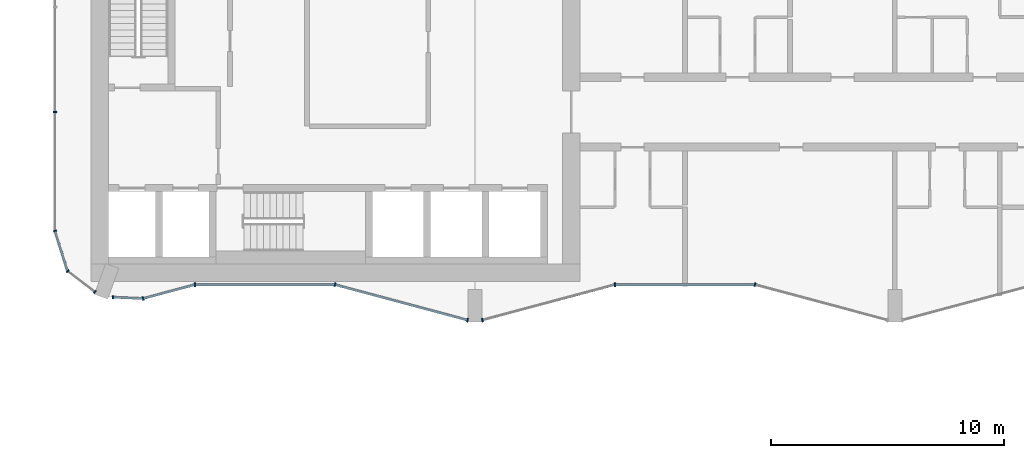
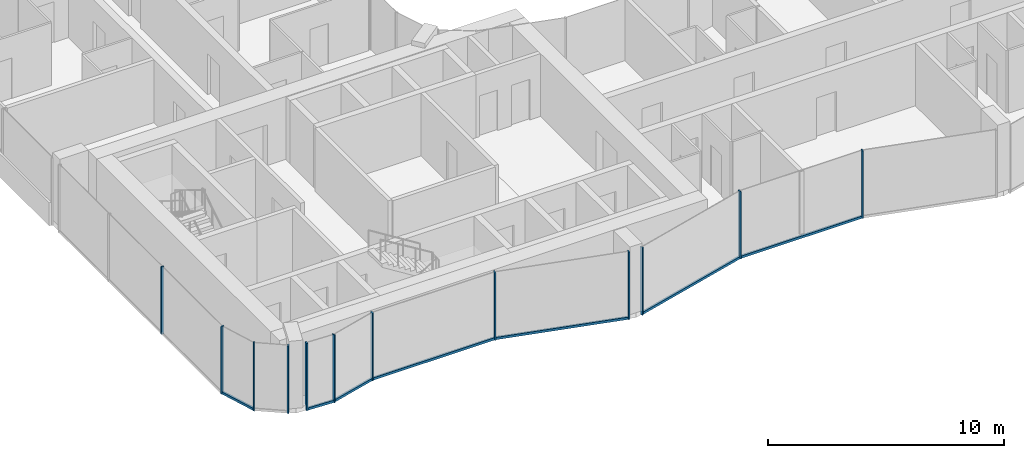
# One storey, part 2 of 22: 19 members, 10 elements without a shape of their own.
"""IFC4 building model written with IfcOpenShell, lengths in metres."""

from ifc_helpers import new_model, si_unit, direction, frame, origin, origin_2d, place, context, subcontext, project, spatial, rectangle, extrude, material, layer, layer_set, material_profile, profile_set, type_object, element, aggregate, save


model = new_model("IFC4")

# Units and contexts
model_context = context("Model", 3, precision=1e-05, world=origin(), true_north=direction((0.0, 1.0)))
body_context = subcontext(model_context, "Body", "Model", "MODEL_VIEW")
ifc_project = project(units=[si_unit("LENGTHUNIT", "METRE"), si_unit("AREAUNIT", "SQUARE_METRE"), si_unit("VOLUMEUNIT", "CUBIC_METRE"), si_unit("PLANEANGLEUNIT", "RADIAN"), si_unit("MASSUNIT", "GRAM", prefix="KILO")], contexts=[model_context])

# Site, building, storey
site_placement = place(None, origin())
site = spatial("IfcSite", under=ifc_project, at=site_placement, CompositionType="ELEMENT")
building_placement = place(site_placement, origin())
building = spatial("IfcBuilding", under=site, at=building_placement, Name="Plateau Cross Towers", CompositionType="ELEMENT")
storey_placement = place(building_placement, frame((0.0, 0.0, 54.800048828125)))
storey = spatial("IfcBuildingStorey", under=building, at=storey_placement, Name="L13", CompositionType="ELEMENT", Elevation=54.800048828125)

# Curtain wall, member
ifc_material_1 = material(Name="Dark low-iron glass", Category="glass")
ifc_layer_1 = layer(ifc_material_1, 0.239990234375)
ifc_layer_set_1 = layer_set([ifc_layer_1], Name="Dark low-iron glass")
curtain_wall_type_1 = type_object("IfcCurtainWallType", Name="Curtain wall flush unitised CW-B", PredefinedType="NOTDEFINED", material=ifc_layer_set_1)
curtain_wall_1_placement = place(storey_placement, origin())
curtain_wall_1 = element("IfcCurtainWall", 1, at=curtain_wall_1_placement, inside=storey, type_object=curtain_wall_type_1, Name="ENV/A/L13/A0_177", PredefinedType="NOTDEFINED")
ifc_material_2 = material(Name="Black anodised aluminium", Category="aluminium")
ifc_material_profile_1 = material_profile(ifc_material_2, rectangle(XDim=0.06005859375, YDim=0.139892578125, at=origin_2d()), Name="MULLION 60x140")
ifc_profile_set_1 = profile_set([ifc_material_profile_1], Name="Black anodised aluminium")
member_type_1 = type_object("IfcMemberType", Name="Mullion 60x140 flush unitised", PredefinedType="MULLION", material=ifc_profile_set_1)
member_1_placement = place(storey_placement, frame((0.0, 9.0, -0.25), z_axis=(0.0, 0.0, 1.0), x_axis=(0.0, -1.0, 0.0)))
member_1 = element("IfcMember", 2, at=member_1_placement, type_object=member_type_1, Name="CW-B mullion 3", PredefinedType="MULLION", context=body_context, shape_type="SweptSolid", body=[
    extrude(rectangle(XDim=0.06005859375, YDim=0.139892578125, at=origin_2d()), origin(), (0.0, 0.0, 1.0), 3.5),
])
aggregate(curtain_wall_1, [member_1])

curtain_wall_2_placement = place(storey_placement, origin())
curtain_wall_2 = element("IfcCurtainWall", 3, at=curtain_wall_2_placement, inside=storey, type_object=curtain_wall_type_1, Name="ENV/A/L13/A0_39", PredefinedType="NOTDEFINED")
member_2_placement = place(storey_placement, frame((0.0, 3.9091796875, -0.25), z_axis=(0.0, 0.0, 1.0), x_axis=(0.300686174994, -0.95372313811, 0.0)))
member_2 = element("IfcMember", 4, at=member_2_placement, type_object=member_type_1, Name="CW-B mullion 1", PredefinedType="MULLION", context=body_context, shape_type="SweptSolid", body=[
    extrude(rectangle(XDim=0.06005859375, YDim=0.139892578125, at=origin_2d()), origin(), (0.0, 0.0, 1.0), 3.5),
])

# Curtain wall, members
curtain_wall_3_placement = place(storey_placement, origin())
curtain_wall_3 = element("IfcCurtainWall", 5, at=curtain_wall_3_placement, inside=storey, type_object=curtain_wall_type_1, Name="ENV/A/L13/A5_22", PredefinedType="NOTDEFINED")
member_3_placement = place(storey_placement, frame((0.54248046875, 2.1884765625, -0.25), z_axis=(0.0, 0.0, 1.0), x_axis=(0.793315514529, -0.608810721331, 0.0)))
member_3 = element("IfcMember", 6, at=member_3_placement, type_object=member_type_1, Name="CW-B mullion 1", PredefinedType="MULLION", context=body_context, shape_type="SweptSolid", body=[
    extrude(rectangle(XDim=0.06005859375, YDim=0.139892578125, at=origin_2d()), origin(), (0.0, 0.0, 1.0), 3.5),
])
member_4_placement = place(storey_placement, frame((1.709716796875, 1.292724609375, -0.25), z_axis=(0.0, 0.0, 1.0), x_axis=(0.793315514529, -0.608810721331, 0.0)))
member_4 = element("IfcMember", 7, at=member_4_placement, type_object=member_type_1, Name="CW-B mullion 2", PredefinedType="MULLION", context=body_context, shape_type="SweptSolid", body=[
    extrude(rectangle(XDim=0.06005859375, YDim=0.139892578125, at=origin_2d()), origin(), (0.0, 0.0, 1.0), 3.5),
])
aggregate(curtain_wall_3, [member_3, member_4])

# Curtain wall, member
curtain_wall_4_placement = place(storey_placement, origin())
curtain_wall_4 = element("IfcCurtainWall", 8, at=curtain_wall_4_placement, inside=storey, type_object=curtain_wall_type_1, Name="ENV/A/L13/A25_11", PredefinedType="NOTDEFINED")
member_5_placement = place(storey_placement, frame((2.483642578125, 1.06787109375, -0.25), z_axis=(0.0, 0.0, 1.0), x_axis=(0.999043701491, -0.043722791671, 0.0)))
member_5 = element("IfcMember", 9, at=member_5_placement, type_object=member_type_1, Name="CW-B mullion 1", PredefinedType="MULLION", context=body_context, shape_type="SweptSolid", body=[
    extrude(rectangle(XDim=0.06005859375, YDim=0.139892578125, at=origin_2d()), origin(), (0.0, 0.0, 1.0), 3.5),
])

ifc_layer_2 = layer(ifc_material_1, 0.260009765625)
ifc_layer_set_2 = layer_set([ifc_layer_2], Name="Dark low-iron glass")
curtain_wall_type_2 = type_object("IfcCurtainWallType", Name="Curtain wall fluted unitised CW-A", PredefinedType="NOTDEFINED", material=ifc_layer_set_2)
curtain_wall_5_placement = place(storey_placement, origin())
curtain_wall_5 = element("IfcCurtainWall", 10, at=curtain_wall_5_placement, inside=storey, type_object=curtain_wall_type_2, Name="ENV/A/L13/A38_10", PredefinedType="NOTDEFINED")
ifc_material_profile_2 = material_profile(ifc_material_2, rectangle(XDim=0.06005859375, YDim=0.159912109375, at=origin_2d()), Name="MULLION 60x160")
ifc_profile_set_2 = profile_set([ifc_material_profile_2], Name="Black anodised aluminium")
member_type_2 = type_object("IfcMemberType", Name="Mullion 60x160 fluted unitised", PredefinedType="MULLION", material=ifc_profile_set_2)
member_6_placement = place(storey_placement, frame((3.776123046875, 1.01123046875, -0.25), z_axis=(0.0, 0.0, 1.0), x_axis=(0.965957962328, 0.258699081978, 0.0)))
member_6 = element("IfcMember", 11, at=member_6_placement, type_object=member_type_2, Name="CW-A mullion 1", PredefinedType="MULLION", context=body_context, shape_type="SweptSolid", body=[
    extrude(rectangle(XDim=0.06005859375, YDim=0.159912109375, at=origin_2d()), origin(), (0.0, 0.0, 1.0), 3.5),
])

curtain_wall_6_placement = place(storey_placement, origin())
curtain_wall_6 = element("IfcCurtainWall", 12, at=curtain_wall_6_placement, inside=storey, type_object=curtain_wall_type_2, Name="ENV/A/L13/A60_16", PredefinedType="NOTDEFINED")
member_7_placement = place(storey_placement, frame((6.0, 1.60693359375, -0.25), z_axis=(0.0, 0.0, 1.0), x_axis=(1.0, 0.0, 0.0)))
member_7 = element("IfcMember", 13, at=member_7_placement, type_object=member_type_2, Name="CW-A mullion 1", PredefinedType="MULLION", context=body_context, shape_type="SweptSolid", body=[
    extrude(rectangle(XDim=0.06005859375, YDim=0.159912109375, at=origin_2d()), origin(), (0.0, 0.0, 1.0), 3.5),
])

# Curtain wall, members
curtain_wall_7_placement = place(storey_placement, origin())
curtain_wall_7 = element("IfcCurtainWall", 14, at=curtain_wall_7_placement, inside=storey, type_object=curtain_wall_type_2, Name="ENV/A/L13/A120_16", PredefinedType="NOTDEFINED")
member_8_placement = place(storey_placement, frame((12.0, 1.60693359375, -0.25), z_axis=(0.0, 0.0, 1.0), x_axis=(0.965957983404, -0.258699003279, 0.0)))
member_8 = element("IfcMember", 15, at=member_8_placement, type_object=member_type_2, Name="CW-A mullion 1", PredefinedType="MULLION", context=body_context, shape_type="SweptSolid", body=[
    extrude(rectangle(XDim=0.06005859375, YDim=0.159912109375, at=origin_2d()), origin(), (0.0, 0.0, 1.0), 3.5),
])
member_9_placement = place(storey_placement, frame((17.68212890625, 0.085205078125, -0.25), z_axis=(0.0, 0.0, 1.0), x_axis=(0.965957983404, -0.258699003279, 0.0)))
member_9 = element("IfcMember", 16, at=member_9_placement, type_object=member_type_2, Name="CW-A mullion 2", PredefinedType="MULLION", context=body_context, shape_type="SweptSolid", body=[
    extrude(rectangle(XDim=0.06005859375, YDim=0.159912109375, at=origin_2d()), origin(), (0.0, 0.0, 1.0), 3.5),
])

# Curtain wall, member
curtain_wall_8_placement = place(storey_placement, origin())
curtain_wall_8 = element("IfcCurtainWall", 17, at=curtain_wall_8_placement, inside=storey, type_object=curtain_wall_type_2, Name="ENV/A/L13/A183_1", PredefinedType="NOTDEFINED")
member_10_placement = place(storey_placement, frame((18.31787109375, 0.085205078125, -0.25), z_axis=(0.0, 0.0, 1.0), x_axis=(0.965957983404, 0.258699003279, 0.0)))
member_10 = element("IfcMember", 18, at=member_10_placement, type_object=member_type_2, Name="CW-A mullion 1", PredefinedType="MULLION", context=body_context, shape_type="SweptSolid", body=[
    extrude(rectangle(XDim=0.06005859375, YDim=0.159912109375, at=origin_2d()), origin(), (0.0, 0.0, 1.0), 3.5),
])

curtain_wall_9_placement = place(storey_placement, origin())
curtain_wall_9 = element("IfcCurtainWall", 19, at=curtain_wall_9_placement, inside=storey, type_object=curtain_wall_type_2, Name="ENV/A/L13/A240_16", PredefinedType="NOTDEFINED")
member_11_placement = place(storey_placement, frame((24.0, 1.60693359375, -0.25), z_axis=(0.0, 0.0, 1.0), x_axis=(1.0, 0.0, 0.0)))
member_11 = element("IfcMember", 20, at=member_11_placement, type_object=member_type_2, Name="CW-A mullion 1", PredefinedType="MULLION", context=body_context, shape_type="SweptSolid", body=[
    extrude(rectangle(XDim=0.06005859375, YDim=0.159912109375, at=origin_2d()), origin(), (0.0, 0.0, 1.0), 3.5),
])

curtain_wall_10_placement = place(storey_placement, origin())
curtain_wall_10 = element("IfcCurtainWall", 21, at=curtain_wall_10_placement, inside=storey, type_object=curtain_wall_type_2, Name="ENV/A/L13/A300_16", PredefinedType="NOTDEFINED")
member_12_placement = place(storey_placement, frame((30.0, 1.60693359375, -0.25), z_axis=(0.0, 0.0, 1.0), x_axis=(0.965957983404, -0.258699003279, 0.0)))
member_12 = element("IfcMember", 22, at=member_12_placement, type_object=member_type_2, Name="CW-A mullion 1", PredefinedType="MULLION", context=body_context, shape_type="SweptSolid", body=[
    extrude(rectangle(XDim=0.06005859375, YDim=0.159912109375, at=origin_2d()), origin(), (0.0, 0.0, 1.0), 3.5),
])
aggregate(curtain_wall_10, [member_12])

# Member
ifc_material_profile_3 = material_profile(ifc_material_2, rectangle(XDim=0.10009765625, YDim=0.1201171875, at=origin_2d()), Name="TRANSOM 100x120")
ifc_profile_set_3 = profile_set([ifc_material_profile_3], Name="Black anodised aluminium")
member_type_3 = type_object("IfcMemberType", Name="Transom 100x120 flush unitised", PredefinedType="USERDEFINED", material=ifc_profile_set_3)
member_13_placement = place(storey_placement, frame((0.0, 3.9091796875, -0.18994140625), z_axis=(0.30067799945, -0.953725715626, 0.0), x_axis=(0.953725715626, 0.30067799945, 0.0)))
member_13 = element("IfcMember", 23, at=member_13_placement, type_object=member_type_3, Name="CW-B transom", ObjectType="TRANSOM", PredefinedType="USERDEFINED", context=body_context, shape_type="SweptSolid", body=[
    extrude(rectangle(XDim=0.10009765625, YDim=0.1201171875, at=origin_2d()), origin(), (0.0, 0.0, 1.0), 1.80419921875),
])

aggregate(curtain_wall_2, [member_2, member_13])

member_14_placement = place(storey_placement, frame((2.483642578125, 1.06787109375, -0.18994140625), z_axis=(0.999041144614, -0.043781175963, 0.0), x_axis=(0.043781175963, 0.999041144614, 0.0)))
member_14 = element("IfcMember", 24, at=member_14_placement, type_object=member_type_3, Name="CW-B transom", ObjectType="TRANSOM", PredefinedType="USERDEFINED", context=body_context, shape_type="SweptSolid", body=[
    extrude(rectangle(XDim=0.10009765625, YDim=0.1201171875, at=origin_2d()), origin(), (0.0, 0.0, 1.0), 1.293701171875),
])

aggregate(curtain_wall_4, [member_5, member_14])

ifc_material_profile_4 = material_profile(ifc_material_2, rectangle(XDim=0.10009765625, YDim=0.1201171875, at=origin_2d()), Name="TRANSOM 100x120")
ifc_profile_set_4 = profile_set([ifc_material_profile_4], Name="Black anodised aluminium")
member_type_4 = type_object("IfcMemberType", Name="Transom 100x120 fluted unitised", PredefinedType="USERDEFINED", material=ifc_profile_set_4)
member_15_placement = place(storey_placement, frame((3.776123046875, 1.01123046875, -0.18994140625), z_axis=(0.965945685136, 0.258744919501, 0.0), x_axis=(-0.258744919501, 0.965945685136, 0.0)))
member_15 = element("IfcMember", 25, at=member_15_placement, type_object=member_type_4, Name="CW-A transom", ObjectType="TRANSOM", PredefinedType="USERDEFINED", context=body_context, shape_type="SweptSolid", body=[
    extrude(rectangle(XDim=0.10009765625, YDim=0.1201171875, at=origin_2d()), origin(), (0.0, 0.0, 1.0), 2.30224609375),
])

aggregate(curtain_wall_5, [member_6, member_15])

member_16_placement = place(storey_placement, frame((6.0, 1.60693359375, -0.18994140625), z_axis=(1.0, 0.0, 0.0), x_axis=(0.0, 1.0, 0.0)))
member_16 = element("IfcMember", 26, at=member_16_placement, type_object=member_type_4, Name="CW-A transom", ObjectType="TRANSOM", PredefinedType="USERDEFINED", context=body_context, shape_type="SweptSolid", body=[
    extrude(rectangle(XDim=0.10009765625, YDim=0.1201171875, at=origin_2d()), origin(), (0.0, 0.0, 1.0), 6.0),
])

aggregate(curtain_wall_6, [member_7, member_16])

member_17_placement = place(storey_placement, frame((12.0, 1.60693359375, -0.18994140625), z_axis=(0.965959534794, -0.258693210465, 0.0), x_axis=(0.258693210465, 0.965959534794, 0.0)))
member_17 = element("IfcMember", 27, at=member_17_placement, type_object=member_type_4, Name="CW-A transom", ObjectType="TRANSOM", PredefinedType="USERDEFINED", context=body_context, shape_type="SweptSolid", body=[
    extrude(rectangle(XDim=0.10009765625, YDim=0.1201171875, at=origin_2d()), origin(), (0.0, 0.0, 1.0), 5.88232421875),
])

aggregate(curtain_wall_7, [member_8, member_9, member_17])

member_18_placement = place(storey_placement, frame((18.31787109375, 0.085205078125, -0.18994140625), z_axis=(0.965959534794, 0.258693210465, 0.0), x_axis=(-0.258693210465, 0.965959534794, 0.0)))
member_18 = element("IfcMember", 28, at=member_18_placement, type_object=member_type_4, Name="CW-A transom", ObjectType="TRANSOM", PredefinedType="USERDEFINED", context=body_context, shape_type="SweptSolid", body=[
    extrude(rectangle(XDim=0.10009765625, YDim=0.1201171875, at=origin_2d()), origin(), (0.0, 0.0, 1.0), 5.88232421875),
])

aggregate(curtain_wall_8, [member_10, member_18])

member_19_placement = place(storey_placement, frame((24.0, 1.60693359375, -0.18994140625), z_axis=(1.0, 0.0, 0.0), x_axis=(0.0, 1.0, 0.0)))
member_19 = element("IfcMember", 29, at=member_19_placement, type_object=member_type_4, Name="CW-A transom", ObjectType="TRANSOM", PredefinedType="USERDEFINED", context=body_context, shape_type="SweptSolid", body=[
    extrude(rectangle(XDim=0.10009765625, YDim=0.1201171875, at=origin_2d()), origin(), (0.0, 0.0, 1.0), 6.0),
])

aggregate(curtain_wall_9, [member_11, member_19])

save(model, "model.ifc")
